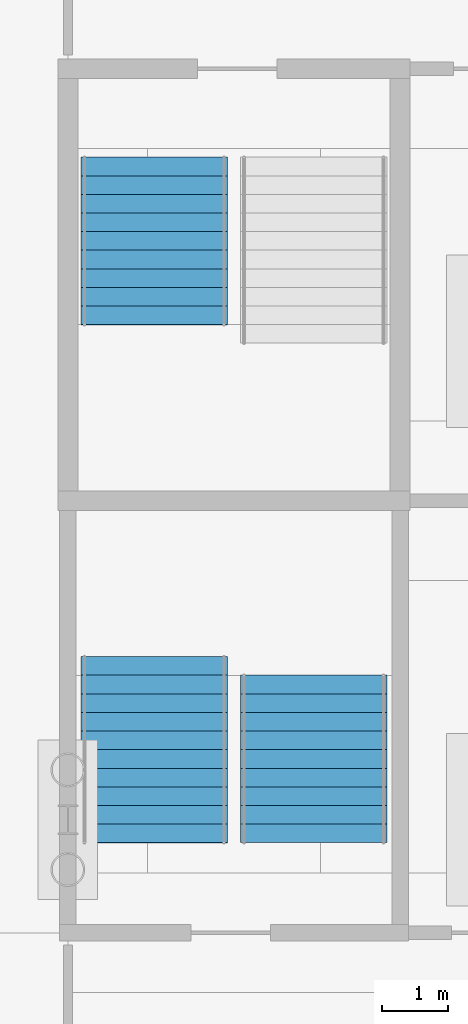
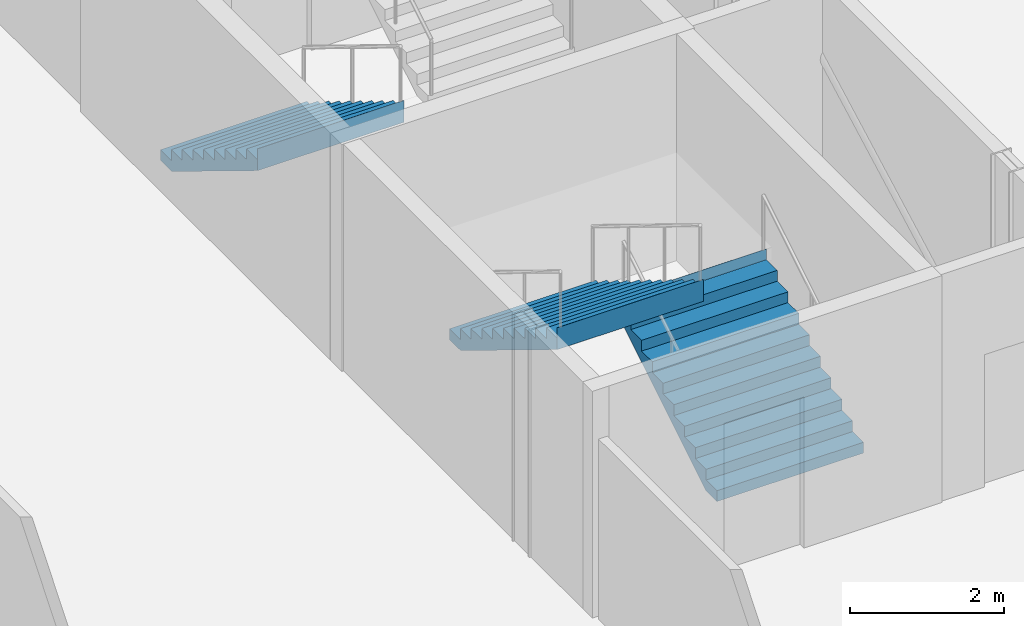
# One storey, part 100 of 148: 3 stair flights, 2 elements without a shape of their own.
"""IFC4 building model written with IfcOpenShell, lengths in metres."""

from ifc_helpers import new_model, si_unit, direction, frame, origin, place, context, subcontext, project, spatial, polyline, outline, extrude, material, type_object, element, aggregate, save


model = new_model("IFC4")

# Units and contexts
model_context = context("Model", 3, precision=1e-05, world=origin(), true_north=direction((0.0, 1.0)))
body_context = subcontext(model_context, "Body", "Model", "MODEL_VIEW")
ifc_project = project(units=[si_unit("LENGTHUNIT", "METRE"), si_unit("AREAUNIT", "SQUARE_METRE"), si_unit("VOLUMEUNIT", "CUBIC_METRE"), si_unit("PLANEANGLEUNIT", "RADIAN"), si_unit("MASSUNIT", "GRAM", prefix="KILO")], contexts=[model_context])

# Site, building, storey
site_placement = place(None, origin())
site = spatial("IfcSite", under=ifc_project, at=site_placement, CompositionType="ELEMENT")
building_placement = place(site_placement, origin())
building = spatial("IfcBuilding", under=site, at=building_placement, Name="Kupolbacken Congress Centre", CompositionType="ELEMENT")
storey_placement = place(building_placement, origin())
storey = spatial("IfcBuildingStorey", under=building, at=storey_placement, Name="L00", CompositionType="ELEMENT", Elevation=0.0)

# Stair, stair flight
ifc_material_1 = material(Name="Concrete C30/37", Category="concrete")
stair_type = type_object("IfcStairType", Name="ST13 stair 2200", PredefinedType="TWO_STRAIGHT_RUN_STAIR", material=ifc_material_1)
stair_1_placement = place(storey_placement, origin())
stair_1 = element("IfcStair", 1, at=stair_1_placement, inside=storey, type_object=stair_type, Name="C/stair/LS4/L00", PredefinedType="NOTDEFINED")
ifc_material_2 = material(Name="Concrete C30/37", Category="concrete")
stair_flight_type_1 = type_object("IfcStairFlightType", Name="FL13 stair flight 2200 x 10 risers", PredefinedType="STRAIGHT", material=ifc_material_2)
stair_flight_1_placement = place(storey_placement, frame((82.89990234375, 93.2548828125, 0.0), z_axis=(0.0, 0.0, 1.0), x_axis=(0.0, 1.0, 0.0)))
stair_flight_1 = element("IfcStairFlight", 2, at=stair_flight_1_placement, type_object=stair_flight_type_1, Name="LS4 flight 1", NumberOfRisers=10, NumberOfTreads=9, PredefinedType="STRAIGHT", RiserHeight=0.171428571, TreadLength=0.28, context=body_context, shape_type="SweptSolid", body=[
    extrude(outline(polyline([(0.0, 0.0), (0.0, 0.0009765625), (0.0, 0.002197265625), (0.0, 0.003173828125), (0.0, 0.004150390625), (0.0, 0.00537109375), (0.0, 0.00634765625), (0.0, 0.007568359375), (0.0, 0.008544921875), (0.0, 0.009521484375), (0.0, 0.0107421875), (0.0, 0.01171875), (0.0, 0.0126953125), (0.0, 0.013916015625), (0.0, 0.014892578125), (0.0, 0.015869140625), (0.0, 0.01708984375), (0.0, 0.01806640625), (0.0, 0.019287109375), (0.0, 0.020263671875), (0.0, 0.021240234375), (0.0, 0.0224609375), (0.0, 0.0234375), (0.0, 0.0244140625), (0.0, 0.025634765625), (0.0, 0.026611328125), (0.0, 0.027587890625), (0.0, 0.02880859375), (0.0, 0.02978515625), (0.0, 0.03076171875), (0.0, 0.031982421875), (0.0, 0.032958984375), (0.0, 0.0341796875), (0.0, 0.03515625), (0.0, 0.0361328125), (0.0, 0.037353515625), (0.0, 0.038330078125), (0.0, 0.039306640625), (0.0, 0.04052734375), (0.0, 0.04150390625), (0.0, 0.04248046875), (0.0, 0.043701171875), (0.0, 0.044677734375), (0.0, 0.0458984375), (0.0, 0.046875), (0.0, 0.0478515625), (0.0, 0.049072265625), (0.0, 0.050048828125), (0.0, 0.051025390625), (0.0, 0.05224609375), (0.0, 0.05322265625), (0.0, 0.05419921875), (0.0, 0.055419921875), (0.0, 0.056396484375), (0.0, 0.0576171875), (0.0, 0.05859375), (0.0, 0.0595703125), (0.0, 0.060791015625), (0.0, 0.061767578125), (0.0, 0.062744140625), (0.0, 0.06396484375), (0.0, 0.06494140625), (0.0, 0.06591796875), (0.0, 0.067138671875), (0.0, 0.068115234375), (0.0, 0.069091796875), (0.0, 0.0703125), (0.0, 0.0712890625), (0.0, 0.072509765625), (0.0, 0.073486328125), (0.0, 0.074462890625), (0.0, 0.07568359375), (0.0, 0.07666015625), (0.0, 0.07763671875), (0.0, 0.078857421875), (0.0, 0.079833984375), (0.0, 0.080810546875), (0.0, 0.08203125), (0.0, 0.0830078125), (0.0, 0.084228515625), (0.0, 0.085205078125), (0.0, 0.086181640625), (0.0, 0.08740234375), (0.0, 0.08837890625), (0.0, 0.08935546875), (0.0, 0.090576171875), (0.0, 0.091552734375), (0.0, 0.092529296875), (0.0, 0.09375), (0.0, 0.0947265625), (0.0, 0.095947265625), (0.0, 0.096923828125), (0.0, 0.097900390625), (0.0, 0.09912109375), (0.0, 0.10009765625), (0.0, 0.10107421875), (0.0, 0.102294921875), (0.0, 0.103271484375), (0.0, 0.104248046875), (0.0, 0.10546875), (0.0, 0.1064453125), (0.0, 0.107421875), (0.0, 0.108642578125), (0.0, 0.109619140625), (0.0, 0.11083984375), (0.0, 0.11181640625), (0.0, 0.11279296875), (0.0, 0.114013671875), (0.0, 0.114990234375), (0.0, 0.115966796875), (0.0, 0.1171875), (0.0, 0.1181640625), (0.0, 0.119140625), (0.0, 0.120361328125), (0.0, 0.121337890625), (0.0, 0.12255859375), (0.0, 0.12353515625), (0.0, 0.12451171875), (0.0, 0.125732421875), (0.0, 0.126708984375), (0.0, 0.127685546875), (0.0, 0.12890625), (0.0, 0.1298828125), (0.0, 0.130859375), (0.0, 0.132080078125), (0.0, 0.133056640625), (0.0, 0.13427734375), (0.0, 0.13525390625), (0.0, 0.13623046875), (0.0, 0.137451171875), (0.0, 0.138427734375), (0.0, 0.139404296875), (0.0, 0.140625), (0.0, 0.1416015625), (0.0, 0.142578125), (0.0, 0.143798828125), (0.0, 0.144775390625), (0.0, 0.145751953125), (0.0, 0.14697265625), (0.0, 0.14794921875), (0.0, 0.149169921875), (0.0, 0.150146484375), (0.0, 0.151123046875), (0.0, 0.15234375), (0.0, 0.1533203125), (0.0, 0.154296875), (0.0, 0.155517578125), (0.0, 0.156494140625), (0.0, 0.157470703125), (0.0, 0.15869140625), (0.0, 0.15966796875), (0.0, 0.160888671875), (0.0, 0.161865234375), (0.0, 0.162841796875), (0.0, 0.1640625), (0.0, 0.1650390625), (0.0, 0.166015625), (0.0, 0.167236328125), (0.0, 0.168212890625), (0.0, 0.169189453125), (0.0, 0.17041015625), (0.0, 0.17138671875), (0.280029296875, 0.17138671875), (0.280029296875, 0.3427734375), (0.56005859375, 0.3427734375), (0.56005859375, 0.514404296875), (0.840087890625, 0.514404296875), (0.840087890625, 0.685791015625), (1.1201171875, 0.685791015625), (1.1201171875, 0.857177734375), (1.39990234375, 0.857177734375), (1.39990234375, 1.028564453125), (1.679931640625, 1.028564453125), (1.679931640625, 1.199951171875), (1.9599609375, 1.199951171875), (1.9599609375, 1.371337890625), (2.239990234375, 1.371337890625), (2.239990234375, 1.54296875), (2.52001953125, 1.54296875), (2.52001953125, 1.71435546875), (2.52197265625, 1.71435546875), (2.52197265625, 1.712158203125), (2.52197265625, 1.7099609375), (2.52197265625, 1.707763671875), (2.52197265625, 1.70556640625), (2.52197265625, 1.70361328125), (2.52197265625, 1.701416015625), (2.52197265625, 1.69921875), (2.52197265625, 1.697021484375), (2.52197265625, 1.69482421875), (2.52197265625, 1.692626953125), (2.52197265625, 1.690673828125), (2.52197265625, 1.6884765625), (2.52197265625, 1.686279296875), (2.52197265625, 1.68408203125), (2.52197265625, 1.681884765625), (2.52197265625, 1.6796875), (2.52197265625, 1.677734375), (2.52197265625, 1.675537109375), (2.52197265625, 1.67333984375), (2.52197265625, 1.671142578125), (2.52197265625, 1.6689453125), (2.52197265625, 1.666748046875), (2.52197265625, 1.664794921875), (2.52197265625, 1.66259765625), (2.52197265625, 1.660400390625), (2.52197265625, 1.658203125), (2.52197265625, 1.656005859375), (2.52197265625, 1.65380859375), (2.52197265625, 1.65185546875), (2.52197265625, 1.649658203125), (2.52197265625, 1.6474609375), (2.52197265625, 1.645263671875), (2.52197265625, 1.64306640625), (2.52197265625, 1.640869140625), (2.52197265625, 1.638916015625), (2.52197265625, 1.63671875), (2.52197265625, 1.634521484375), (2.52197265625, 1.63232421875), (2.52197265625, 1.630126953125), (2.52197265625, 1.6279296875), (2.52197265625, 1.6259765625), (2.52197265625, 1.623779296875), (2.52197265625, 1.62158203125), (2.52197265625, 1.619384765625), (2.52197265625, 1.6171875), (2.52197265625, 1.614990234375), (2.52197265625, 1.613037109375), (2.52197265625, 1.61083984375), (2.52197265625, 1.608642578125), (2.52197265625, 1.6064453125), (2.52197265625, 1.604248046875), (2.52197265625, 1.60205078125), (2.52197265625, 1.60009765625), (2.52197265625, 1.597900390625), (2.52197265625, 1.595703125), (2.52197265625, 1.593505859375), (2.52197265625, 1.59130859375), (2.52197265625, 1.589111328125), (2.52197265625, 1.587158203125), (2.52197265625, 1.5849609375), (2.52197265625, 1.582763671875), (2.52197265625, 1.58056640625), (2.52197265625, 1.578369140625), (2.52197265625, 1.576171875), (2.52197265625, 1.57421875), (2.52197265625, 1.572021484375), (2.52197265625, 1.56982421875), (2.52197265625, 1.567626953125), (2.52197265625, 1.5654296875), (2.52197265625, 1.563232421875), (2.52197265625, 1.561279296875), (2.52197265625, 1.55908203125), (2.52197265625, 1.556884765625), (2.52197265625, 1.5546875), (2.52197265625, 1.552490234375), (2.52197265625, 1.55029296875), (2.52197265625, 1.54833984375), (2.52197265625, 1.546142578125), (2.52197265625, 1.5439453125), (2.52197265625, 1.541748046875), (2.52197265625, 1.53955078125), (2.52197265625, 1.537353515625), (2.52197265625, 1.535400390625), (2.52197265625, 1.533203125), (2.52197265625, 1.531005859375), (2.52197265625, 1.52880859375), (2.52197265625, 1.526611328125), (2.52197265625, 1.5244140625), (2.52197265625, 1.5224609375), (2.52197265625, 1.520263671875), (2.52197265625, 1.51806640625), (2.52197265625, 1.515869140625), (2.52197265625, 1.513671875), (2.52197265625, 1.511474609375), (2.52197265625, 1.509521484375), (2.52197265625, 1.50732421875), (2.52197265625, 1.505126953125), (2.52197265625, 1.5029296875), (2.52197265625, 1.500732421875), (2.52197265625, 1.49853515625), (2.52197265625, 1.49658203125), (2.52197265625, 1.494384765625), (2.52197265625, 1.4921875), (2.52197265625, 1.489990234375), (2.52197265625, 1.48779296875), (2.52197265625, 1.485595703125), (2.52197265625, 1.483642578125), (2.52197265625, 1.4814453125), (2.52197265625, 1.479248046875), (2.52197265625, 1.47705078125), (2.52197265625, 1.474853515625), (2.52197265625, 1.47265625), (2.52197265625, 1.470703125), (2.52197265625, 1.468505859375), (2.52197265625, 1.46630859375), (2.52197265625, 1.464111328125), (2.52197265625, 1.4619140625), (2.52197265625, 1.459716796875), (2.52197265625, 1.457763671875), (2.52197265625, 1.45556640625), (2.52197265625, 1.453369140625), (2.52197265625, 1.451171875), (2.52197265625, 1.448974609375), (2.52197265625, 1.44677734375), (2.52197265625, 1.44482421875), (2.52197265625, 1.442626953125), (2.52197265625, 1.4404296875), (2.52197265625, 1.438232421875), (2.52197265625, 1.43603515625), (2.52197265625, 1.433837890625), (2.52197265625, 1.431884765625), (2.52197265625, 1.4296875), (2.52197265625, 1.427490234375), (2.52197265625, 1.42529296875), (2.52197265625, 1.423095703125), (2.52197265625, 1.4208984375), (2.52197265625, 1.4189453125), (2.52197265625, 1.416748046875), (2.52197265625, 1.41455078125), (2.52197265625, 1.412353515625), (2.52197265625, 1.41015625), (2.52197265625, 1.407958984375), (2.52197265625, 1.406005859375), (2.52197265625, 1.40380859375), (2.52197265625, 1.401611328125), (2.52197265625, 1.3994140625), (2.52197265625, 1.397216796875), (2.52197265625, 1.39501953125), (2.52197265625, 1.39306640625), (2.52197265625, 1.390869140625), (2.52197265625, 1.388671875), (2.52197265625, 1.386474609375), (2.52197265625, 1.38427734375), (2.52197265625, 1.382080078125), (2.52197265625, 1.380126953125), (2.52197265625, 1.3779296875), (2.52197265625, 1.375732421875), (2.52197265625, 1.37353515625), (2.52197265625, 1.371337890625), (2.52197265625, 1.369140625), (2.52197265625, 1.3671875), (0.2890625, 0.0), (0.0, 0.0)])), frame((0.0, 1.10009765625, 0.0), z_axis=(0.0, -1.0, 0.0), x_axis=(1.0, 0.0, 0.0)), (0.0, 0.0, 1.0), 2.199951171875),
])

stair_2_placement = place(storey_placement, origin())
stair_2 = element("IfcStair", 3, at=stair_2_placement, inside=storey, type_object=stair_type, Name="C/stair/LS2/L00", PredefinedType="NOTDEFINED")
stair_flight_2_placement = place(storey_placement, frame((80.5, 103.570068359375, 0.0), z_axis=(0.0, 0.0, 1.0), x_axis=(0.0, -1.0, 0.0)))
stair_flight_2 = element("IfcStairFlight", 4, at=stair_flight_2_placement, type_object=stair_flight_type_1, Name="LS2 flight 1", NumberOfRisers=10, NumberOfTreads=9, PredefinedType="STRAIGHT", RiserHeight=0.171428571, TreadLength=0.28, context=body_context, shape_type="SweptSolid", body=[
    extrude(outline(polyline([(0.0, 0.0), (0.0, 0.0009765625), (0.0, 0.002197265625), (0.0, 0.003173828125), (0.0, 0.004150390625), (0.0, 0.00537109375), (0.0, 0.00634765625), (0.0, 0.007568359375), (0.0, 0.008544921875), (0.0, 0.009521484375), (0.0, 0.0107421875), (0.0, 0.01171875), (0.0, 0.0126953125), (0.0, 0.013916015625), (0.0, 0.014892578125), (0.0, 0.015869140625), (0.0, 0.01708984375), (0.0, 0.01806640625), (0.0, 0.019287109375), (0.0, 0.020263671875), (0.0, 0.021240234375), (0.0, 0.0224609375), (0.0, 0.0234375), (0.0, 0.0244140625), (0.0, 0.025634765625), (0.0, 0.026611328125), (0.0, 0.027587890625), (0.0, 0.02880859375), (0.0, 0.02978515625), (0.0, 0.03076171875), (0.0, 0.031982421875), (0.0, 0.032958984375), (0.0, 0.0341796875), (0.0, 0.03515625), (0.0, 0.0361328125), (0.0, 0.037353515625), (0.0, 0.038330078125), (0.0, 0.039306640625), (0.0, 0.04052734375), (0.0, 0.04150390625), (0.0, 0.04248046875), (0.0, 0.043701171875), (0.0, 0.044677734375), (0.0, 0.0458984375), (0.0, 0.046875), (0.0, 0.0478515625), (0.0, 0.049072265625), (0.0, 0.050048828125), (0.0, 0.051025390625), (0.0, 0.05224609375), (0.0, 0.05322265625), (0.0, 0.05419921875), (0.0, 0.055419921875), (0.0, 0.056396484375), (0.0, 0.0576171875), (0.0, 0.05859375), (0.0, 0.0595703125), (0.0, 0.060791015625), (0.0, 0.061767578125), (0.0, 0.062744140625), (0.0, 0.06396484375), (0.0, 0.06494140625), (0.0, 0.06591796875), (0.0, 0.067138671875), (0.0, 0.068115234375), (0.0, 0.069091796875), (0.0, 0.0703125), (0.0, 0.0712890625), (0.0, 0.072509765625), (0.0, 0.073486328125), (0.0, 0.074462890625), (0.0, 0.07568359375), (0.0, 0.07666015625), (0.0, 0.07763671875), (0.0, 0.078857421875), (0.0, 0.079833984375), (0.0, 0.080810546875), (0.0, 0.08203125), (0.0, 0.0830078125), (0.0, 0.084228515625), (0.0, 0.085205078125), (0.0, 0.086181640625), (0.0, 0.08740234375), (0.0, 0.08837890625), (0.0, 0.08935546875), (0.0, 0.090576171875), (0.0, 0.091552734375), (0.0, 0.092529296875), (0.0, 0.09375), (0.0, 0.0947265625), (0.0, 0.095947265625), (0.0, 0.096923828125), (0.0, 0.097900390625), (0.0, 0.09912109375), (0.0, 0.10009765625), (0.0, 0.10107421875), (0.0, 0.102294921875), (0.0, 0.103271484375), (0.0, 0.104248046875), (0.0, 0.10546875), (0.0, 0.1064453125), (0.0, 0.107421875), (0.0, 0.108642578125), (0.0, 0.109619140625), (0.0, 0.11083984375), (0.0, 0.11181640625), (0.0, 0.11279296875), (0.0, 0.114013671875), (0.0, 0.114990234375), (0.0, 0.115966796875), (0.0, 0.1171875), (0.0, 0.1181640625), (0.0, 0.119140625), (0.0, 0.120361328125), (0.0, 0.121337890625), (0.0, 0.12255859375), (0.0, 0.12353515625), (0.0, 0.12451171875), (0.0, 0.125732421875), (0.0, 0.126708984375), (0.0, 0.127685546875), (0.0, 0.12890625), (0.0, 0.1298828125), (0.0, 0.130859375), (0.0, 0.132080078125), (0.0, 0.133056640625), (0.0, 0.13427734375), (0.0, 0.13525390625), (0.0, 0.13623046875), (0.0, 0.137451171875), (0.0, 0.138427734375), (0.0, 0.139404296875), (0.0, 0.140625), (0.0, 0.1416015625), (0.0, 0.142578125), (0.0, 0.143798828125), (0.0, 0.144775390625), (0.0, 0.145751953125), (0.0, 0.14697265625), (0.0, 0.14794921875), (0.0, 0.149169921875), (0.0, 0.150146484375), (0.0, 0.151123046875), (0.0, 0.15234375), (0.0, 0.1533203125), (0.0, 0.154296875), (0.0, 0.155517578125), (0.0, 0.156494140625), (0.0, 0.157470703125), (0.0, 0.15869140625), (0.0, 0.15966796875), (0.0, 0.160888671875), (0.0, 0.161865234375), (0.0, 0.162841796875), (0.0, 0.1640625), (0.0, 0.1650390625), (0.0, 0.166015625), (0.0, 0.167236328125), (0.0, 0.168212890625), (0.0, 0.169189453125), (0.0, 0.17041015625), (0.0, 0.17138671875), (0.280029296875, 0.17138671875), (0.280029296875, 0.3427734375), (0.56005859375, 0.3427734375), (0.56005859375, 0.514404296875), (0.840087890625, 0.514404296875), (0.840087890625, 0.685791015625), (1.1201171875, 0.685791015625), (1.1201171875, 0.857177734375), (1.39990234375, 0.857177734375), (1.39990234375, 1.028564453125), (1.679931640625, 1.028564453125), (1.679931640625, 1.199951171875), (1.9599609375, 1.199951171875), (1.9599609375, 1.371337890625), (2.239990234375, 1.371337890625), (2.239990234375, 1.54296875), (2.52001953125, 1.54296875), (2.52001953125, 1.71435546875), (2.52197265625, 1.71435546875), (2.52197265625, 1.712158203125), (2.52197265625, 1.7099609375), (2.52197265625, 1.707763671875), (2.52197265625, 1.70556640625), (2.52197265625, 1.70361328125), (2.52197265625, 1.701416015625), (2.52197265625, 1.69921875), (2.52197265625, 1.697021484375), (2.52197265625, 1.69482421875), (2.52197265625, 1.692626953125), (2.52197265625, 1.690673828125), (2.52197265625, 1.6884765625), (2.52197265625, 1.686279296875), (2.52197265625, 1.68408203125), (2.52197265625, 1.681884765625), (2.52197265625, 1.6796875), (2.52197265625, 1.677734375), (2.52197265625, 1.675537109375), (2.52197265625, 1.67333984375), (2.52197265625, 1.671142578125), (2.52197265625, 1.6689453125), (2.52197265625, 1.666748046875), (2.52197265625, 1.664794921875), (2.52197265625, 1.66259765625), (2.52197265625, 1.660400390625), (2.52197265625, 1.658203125), (2.52197265625, 1.656005859375), (2.52197265625, 1.65380859375), (2.52197265625, 1.65185546875), (2.52197265625, 1.649658203125), (2.52197265625, 1.6474609375), (2.52197265625, 1.645263671875), (2.52197265625, 1.64306640625), (2.52197265625, 1.640869140625), (2.52197265625, 1.638916015625), (2.52197265625, 1.63671875), (2.52197265625, 1.634521484375), (2.52197265625, 1.63232421875), (2.52197265625, 1.630126953125), (2.52197265625, 1.6279296875), (2.52197265625, 1.6259765625), (2.52197265625, 1.623779296875), (2.52197265625, 1.62158203125), (2.52197265625, 1.619384765625), (2.52197265625, 1.6171875), (2.52197265625, 1.614990234375), (2.52197265625, 1.613037109375), (2.52197265625, 1.61083984375), (2.52197265625, 1.608642578125), (2.52197265625, 1.6064453125), (2.52197265625, 1.604248046875), (2.52197265625, 1.60205078125), (2.52197265625, 1.60009765625), (2.52197265625, 1.597900390625), (2.52197265625, 1.595703125), (2.52197265625, 1.593505859375), (2.52197265625, 1.59130859375), (2.52197265625, 1.589111328125), (2.52197265625, 1.587158203125), (2.52197265625, 1.5849609375), (2.52197265625, 1.582763671875), (2.52197265625, 1.58056640625), (2.52197265625, 1.578369140625), (2.52197265625, 1.576171875), (2.52197265625, 1.57421875), (2.52197265625, 1.572021484375), (2.52197265625, 1.56982421875), (2.52197265625, 1.567626953125), (2.52197265625, 1.5654296875), (2.52197265625, 1.563232421875), (2.52197265625, 1.561279296875), (2.52197265625, 1.55908203125), (2.52197265625, 1.556884765625), (2.52197265625, 1.5546875), (2.52197265625, 1.552490234375), (2.52197265625, 1.55029296875), (2.52197265625, 1.54833984375), (2.52197265625, 1.546142578125), (2.52197265625, 1.5439453125), (2.52197265625, 1.541748046875), (2.52197265625, 1.53955078125), (2.52197265625, 1.537353515625), (2.52197265625, 1.535400390625), (2.52197265625, 1.533203125), (2.52197265625, 1.531005859375), (2.52197265625, 1.52880859375), (2.52197265625, 1.526611328125), (2.52197265625, 1.5244140625), (2.52197265625, 1.5224609375), (2.52197265625, 1.520263671875), (2.52197265625, 1.51806640625), (2.52197265625, 1.515869140625), (2.52197265625, 1.513671875), (2.52197265625, 1.511474609375), (2.52197265625, 1.509521484375), (2.52197265625, 1.50732421875), (2.52197265625, 1.505126953125), (2.52197265625, 1.5029296875), (2.52197265625, 1.500732421875), (2.52197265625, 1.49853515625), (2.52197265625, 1.49658203125), (2.52197265625, 1.494384765625), (2.52197265625, 1.4921875), (2.52197265625, 1.489990234375), (2.52197265625, 1.48779296875), (2.52197265625, 1.485595703125), (2.52197265625, 1.483642578125), (2.52197265625, 1.4814453125), (2.52197265625, 1.479248046875), (2.52197265625, 1.47705078125), (2.52197265625, 1.474853515625), (2.52197265625, 1.47265625), (2.52197265625, 1.470703125), (2.52197265625, 1.468505859375), (2.52197265625, 1.46630859375), (2.52197265625, 1.464111328125), (2.52197265625, 1.4619140625), (2.52197265625, 1.459716796875), (2.52197265625, 1.457763671875), (2.52197265625, 1.45556640625), (2.52197265625, 1.453369140625), (2.52197265625, 1.451171875), (2.52197265625, 1.448974609375), (2.52197265625, 1.44677734375), (2.52197265625, 1.44482421875), (2.52197265625, 1.442626953125), (2.52197265625, 1.4404296875), (2.52197265625, 1.438232421875), (2.52197265625, 1.43603515625), (2.52197265625, 1.433837890625), (2.52197265625, 1.431884765625), (2.52197265625, 1.4296875), (2.52197265625, 1.427490234375), (2.52197265625, 1.42529296875), (2.52197265625, 1.423095703125), (2.52197265625, 1.4208984375), (2.52197265625, 1.4189453125), (2.52197265625, 1.416748046875), (2.52197265625, 1.41455078125), (2.52197265625, 1.412353515625), (2.52197265625, 1.41015625), (2.52197265625, 1.407958984375), (2.52197265625, 1.406005859375), (2.52197265625, 1.40380859375), (2.52197265625, 1.401611328125), (2.52197265625, 1.3994140625), (2.52197265625, 1.397216796875), (2.52197265625, 1.39501953125), (2.52197265625, 1.39306640625), (2.52197265625, 1.390869140625), (2.52197265625, 1.388671875), (2.52197265625, 1.386474609375), (2.52197265625, 1.38427734375), (2.52197265625, 1.382080078125), (2.52197265625, 1.380126953125), (2.52197265625, 1.3779296875), (2.52197265625, 1.375732421875), (2.52197265625, 1.37353515625), (2.52197265625, 1.371337890625), (2.52197265625, 1.369140625), (2.52197265625, 1.3671875), (0.2890625, 0.0), (0.0, 0.0)])), frame((0.0, 1.10009765625, 0.0), z_axis=(0.0, -1.0, 0.0), x_axis=(1.0, 0.0, 0.0)), (0.0, 0.0, 1.0), 2.199951171875),
])
aggregate(stair_2, [stair_flight_2])

# Stair flight
ifc_material_3 = material(Name="Concrete C30/37", Category="concrete")
stair_flight_type_2 = type_object("IfcStairFlightType", Name="FL14 stair flight 2200 x 11 risers", PredefinedType="STRAIGHT", material=ifc_material_3)
stair_flight_3_placement = place(storey_placement, frame((80.5, 96.054931640625, 1.71435546875), z_axis=(0.0, 0.0, 1.0), x_axis=(0.0, -1.0, 0.0)))
stair_flight_3 = element("IfcStairFlight", 5, at=stair_flight_3_placement, type_object=stair_flight_type_2, Name="LS4 flight 2", NumberOfRisers=11, NumberOfTreads=10, PredefinedType="STRAIGHT", RiserHeight=0.171428571, TreadLength=0.28, context=body_context, shape_type="SweptSolid", body=[
    extrude(outline(polyline([(0.0, 0.0), (0.0, 0.0009765625), (0.0, 0.002197265625), (0.0, 0.003173828125), (0.0, 0.004150390625), (0.0, 0.00537109375), (0.0, 0.00634765625), (0.0, 0.007568359375), (0.0, 0.008544921875), (0.0, 0.009521484375), (0.0, 0.0107421875), (0.0, 0.01171875), (0.0, 0.0126953125), (0.0, 0.013916015625), (0.0, 0.014892578125), (0.0, 0.015869140625), (0.0, 0.01708984375), (0.0, 0.01806640625), (0.0, 0.019287109375), (0.0, 0.020263671875), (0.0, 0.021240234375), (0.0, 0.0224609375), (0.0, 0.0234375), (0.0, 0.0244140625), (0.0, 0.025634765625), (0.0, 0.026611328125), (0.0, 0.027587890625), (0.0, 0.02880859375), (0.0, 0.02978515625), (0.0, 0.03076171875), (0.0, 0.031982421875), (0.0, 0.032958984375), (0.0, 0.0341796875), (0.0, 0.03515625), (0.0, 0.0361328125), (0.0, 0.037353515625), (0.0, 0.038330078125), (0.0, 0.039306640625), (0.0, 0.04052734375), (0.0, 0.04150390625), (0.0, 0.04248046875), (0.0, 0.043701171875), (0.0, 0.044677734375), (0.0, 0.0458984375), (0.0, 0.046875), (0.0, 0.0478515625), (0.0, 0.049072265625), (0.0, 0.050048828125), (0.0, 0.051025390625), (0.0, 0.05224609375), (0.0, 0.05322265625), (0.0, 0.05419921875), (0.0, 0.055419921875), (0.0, 0.056396484375), (0.0, 0.0576171875), (0.0, 0.05859375), (0.0, 0.0595703125), (0.0, 0.060791015625), (0.0, 0.061767578125), (0.0, 0.062744140625), (0.0, 0.06396484375), (0.0, 0.06494140625), (0.0, 0.06591796875), (0.0, 0.067138671875), (0.0, 0.068115234375), (0.0, 0.069091796875), (0.0, 0.0703125), (0.0, 0.0712890625), (0.0, 0.072509765625), (0.0, 0.073486328125), (0.0, 0.074462890625), (0.0, 0.07568359375), (0.0, 0.07666015625), (0.0, 0.07763671875), (0.0, 0.078857421875), (0.0, 0.079833984375), (0.0, 0.080810546875), (0.0, 0.08203125), (0.0, 0.0830078125), (0.0, 0.084228515625), (0.0, 0.085205078125), (0.0, 0.086181640625), (0.0, 0.08740234375), (0.0, 0.08837890625), (0.0, 0.08935546875), (0.0, 0.090576171875), (0.0, 0.091552734375), (0.0, 0.092529296875), (0.0, 0.09375), (0.0, 0.0947265625), (0.0, 0.095947265625), (0.0, 0.096923828125), (0.0, 0.097900390625), (0.0, 0.09912109375), (0.0, 0.10009765625), (0.0, 0.10107421875), (0.0, 0.102294921875), (0.0, 0.103271484375), (0.0, 0.104248046875), (0.0, 0.10546875), (0.0, 0.1064453125), (0.0, 0.107421875), (0.0, 0.108642578125), (0.0, 0.109619140625), (0.0, 0.11083984375), (0.0, 0.11181640625), (0.0, 0.11279296875), (0.0, 0.114013671875), (0.0, 0.114990234375), (0.0, 0.115966796875), (0.0, 0.1171875), (0.0, 0.1181640625), (0.0, 0.119140625), (0.0, 0.120361328125), (0.0, 0.121337890625), (0.0, 0.12255859375), (0.0, 0.12353515625), (0.0, 0.12451171875), (0.0, 0.125732421875), (0.0, 0.126708984375), (0.0, 0.127685546875), (0.0, 0.12890625), (0.0, 0.1298828125), (0.0, 0.130859375), (0.0, 0.132080078125), (0.0, 0.133056640625), (0.0, 0.13427734375), (0.0, 0.13525390625), (0.0, 0.13623046875), (0.0, 0.137451171875), (0.0, 0.138427734375), (0.0, 0.139404296875), (0.0, 0.140625), (0.0, 0.1416015625), (0.0, 0.142578125), (0.0, 0.143798828125), (0.0, 0.144775390625), (0.0, 0.145751953125), (0.0, 0.14697265625), (0.0, 0.14794921875), (0.0, 0.149169921875), (0.0, 0.150146484375), (0.0, 0.151123046875), (0.0, 0.15234375), (0.0, 0.1533203125), (0.0, 0.154296875), (0.0, 0.155517578125), (0.0, 0.156494140625), (0.0, 0.157470703125), (0.0, 0.15869140625), (0.0, 0.15966796875), (0.0, 0.160888671875), (0.0, 0.161865234375), (0.0, 0.162841796875), (0.0, 0.1640625), (0.0, 0.1650390625), (0.0, 0.166015625), (0.0, 0.167236328125), (0.0, 0.168212890625), (0.0, 0.169189453125), (0.0, 0.17041015625), (0.0, 0.17138671875), (0.280029296875, 0.17138671875), (0.280029296875, 0.3427734375), (0.56005859375, 0.3427734375), (0.56005859375, 0.514404296875), (0.840087890625, 0.514404296875), (0.840087890625, 0.685791015625), (1.1201171875, 0.685791015625), (1.1201171875, 0.857177734375), (1.39990234375, 0.857177734375), (1.39990234375, 1.028564453125), (1.679931640625, 1.028564453125), (1.679931640625, 1.199951171875), (1.9599609375, 1.199951171875), (1.9599609375, 1.371337890625), (2.239990234375, 1.371337890625), (2.239990234375, 1.54296875), (2.52001953125, 1.54296875), (2.52001953125, 1.71435546875), (2.800048828125, 1.71435546875), (2.800048828125, 1.8857421875), (2.802001953125, 1.8857421875), (2.802001953125, 1.883544921875), (2.802001953125, 1.88134765625), (2.802001953125, 1.879150390625), (2.802001953125, 1.877197265625), (2.802001953125, 1.875), (2.802001953125, 1.872802734375), (2.802001953125, 1.87060546875), (2.802001953125, 1.868408203125), (2.802001953125, 1.8662109375), (2.802001953125, 1.8642578125), (2.802001953125, 1.862060546875), (2.802001953125, 1.85986328125), (2.802001953125, 1.857666015625), (2.802001953125, 1.85546875), (2.802001953125, 1.853271484375), (2.802001953125, 1.851318359375), (2.802001953125, 1.84912109375), (2.802001953125, 1.846923828125), (2.802001953125, 1.8447265625), (2.802001953125, 1.842529296875), (2.802001953125, 1.84033203125), (2.802001953125, 1.83837890625), (2.802001953125, 1.836181640625), (2.802001953125, 1.833984375), (2.802001953125, 1.831787109375), (2.802001953125, 1.82958984375), (2.802001953125, 1.827392578125), (2.802001953125, 1.825439453125), (2.802001953125, 1.8232421875), (2.802001953125, 1.821044921875), (2.802001953125, 1.81884765625), (2.802001953125, 1.816650390625), (2.802001953125, 1.814453125), (2.802001953125, 1.8125), (2.802001953125, 1.810302734375), (2.802001953125, 1.80810546875), (2.802001953125, 1.805908203125), (2.802001953125, 1.8037109375), (2.802001953125, 1.801513671875), (2.802001953125, 1.799560546875), (2.802001953125, 1.79736328125), (2.802001953125, 1.795166015625), (2.802001953125, 1.79296875), (2.802001953125, 1.790771484375), (2.802001953125, 1.78857421875), (2.802001953125, 1.78662109375), (2.802001953125, 1.784423828125), (2.802001953125, 1.7822265625), (2.802001953125, 1.780029296875), (2.802001953125, 1.77783203125), (2.802001953125, 1.775634765625), (2.802001953125, 1.773681640625), (2.802001953125, 1.771484375), (2.802001953125, 1.769287109375), (2.802001953125, 1.76708984375), (2.802001953125, 1.764892578125), (2.802001953125, 1.7626953125), (2.802001953125, 1.7607421875), (2.802001953125, 1.758544921875), (2.802001953125, 1.75634765625), (2.802001953125, 1.754150390625), (2.802001953125, 1.751953125), (2.802001953125, 1.749755859375), (2.802001953125, 1.747802734375), (2.802001953125, 1.74560546875), (2.802001953125, 1.743408203125), (2.802001953125, 1.7412109375), (2.802001953125, 1.739013671875), (2.802001953125, 1.73681640625), (2.802001953125, 1.73486328125), (2.802001953125, 1.732666015625), (2.802001953125, 1.73046875), (2.802001953125, 1.728271484375), (2.802001953125, 1.72607421875), (2.802001953125, 1.723876953125), (2.802001953125, 1.721923828125), (2.802001953125, 1.7197265625), (2.802001953125, 1.717529296875), (2.802001953125, 1.71533203125), (2.802001953125, 1.713134765625), (2.802001953125, 1.7109375), (2.802001953125, 1.708984375), (2.802001953125, 1.706787109375), (2.802001953125, 1.70458984375), (2.802001953125, 1.702392578125), (2.802001953125, 1.7001953125), (2.802001953125, 1.697998046875), (2.802001953125, 1.696044921875), (2.802001953125, 1.69384765625), (2.802001953125, 1.691650390625), (2.802001953125, 1.689453125), (2.802001953125, 1.687255859375), (2.802001953125, 1.68505859375), (2.802001953125, 1.68310546875), (2.802001953125, 1.680908203125), (2.802001953125, 1.6787109375), (2.802001953125, 1.676513671875), (2.802001953125, 1.67431640625), (2.802001953125, 1.672119140625), (2.802001953125, 1.670166015625), (2.802001953125, 1.66796875), (2.802001953125, 1.665771484375), (2.802001953125, 1.66357421875), (2.802001953125, 1.661376953125), (2.802001953125, 1.6591796875), (2.802001953125, 1.6572265625), (2.802001953125, 1.655029296875), (2.802001953125, 1.65283203125), (2.802001953125, 1.650634765625), (2.802001953125, 1.6484375), (2.802001953125, 1.646240234375), (2.802001953125, 1.644287109375), (2.802001953125, 1.64208984375), (2.802001953125, 1.639892578125), (2.802001953125, 1.6376953125), (2.802001953125, 1.635498046875), (2.802001953125, 1.63330078125), (2.802001953125, 1.63134765625), (2.802001953125, 1.629150390625), (2.802001953125, 1.626953125), (2.802001953125, 1.624755859375), (2.802001953125, 1.62255859375), (2.802001953125, 1.620361328125), (2.802001953125, 1.618408203125), (2.802001953125, 1.6162109375), (2.802001953125, 1.614013671875), (2.802001953125, 1.61181640625), (2.802001953125, 1.609619140625), (2.802001953125, 1.607421875), (2.802001953125, 1.60546875), (2.802001953125, 1.603271484375), (2.802001953125, 1.60107421875), (2.802001953125, 1.598876953125), (2.802001953125, 1.5966796875), (2.802001953125, 1.594482421875), (2.802001953125, 1.592529296875), (2.802001953125, 1.59033203125), (2.802001953125, 1.588134765625), (2.802001953125, 1.5859375), (2.802001953125, 1.583740234375), (2.802001953125, 1.58154296875), (2.802001953125, 1.57958984375), (2.802001953125, 1.577392578125), (2.802001953125, 1.5751953125), (2.802001953125, 1.572998046875), (2.802001953125, 1.57080078125), (2.802001953125, 1.568603515625), (2.802001953125, 1.566650390625), (2.802001953125, 1.564453125), (2.802001953125, 1.562255859375), (2.802001953125, 1.56005859375), (2.802001953125, 1.557861328125), (2.802001953125, 1.5556640625), (2.802001953125, 1.5537109375), (2.802001953125, 1.551513671875), (2.802001953125, 1.54931640625), (2.802001953125, 1.547119140625), (2.802001953125, 1.544921875), (2.802001953125, 1.542724609375), (2.802001953125, 1.540771484375), (2.802001953125, 1.53857421875), (0.2890625, 0.0), (0.0, 0.0)])), frame((0.0, 1.10009765625, 0.0), z_axis=(0.0, -1.0, 0.0), x_axis=(1.0, 0.0, 0.0)), (0.0, 0.0, 1.0), 2.199951171875),
])

aggregate(stair_1, [stair_flight_1, stair_flight_3])

save(model, "model.ifc")
